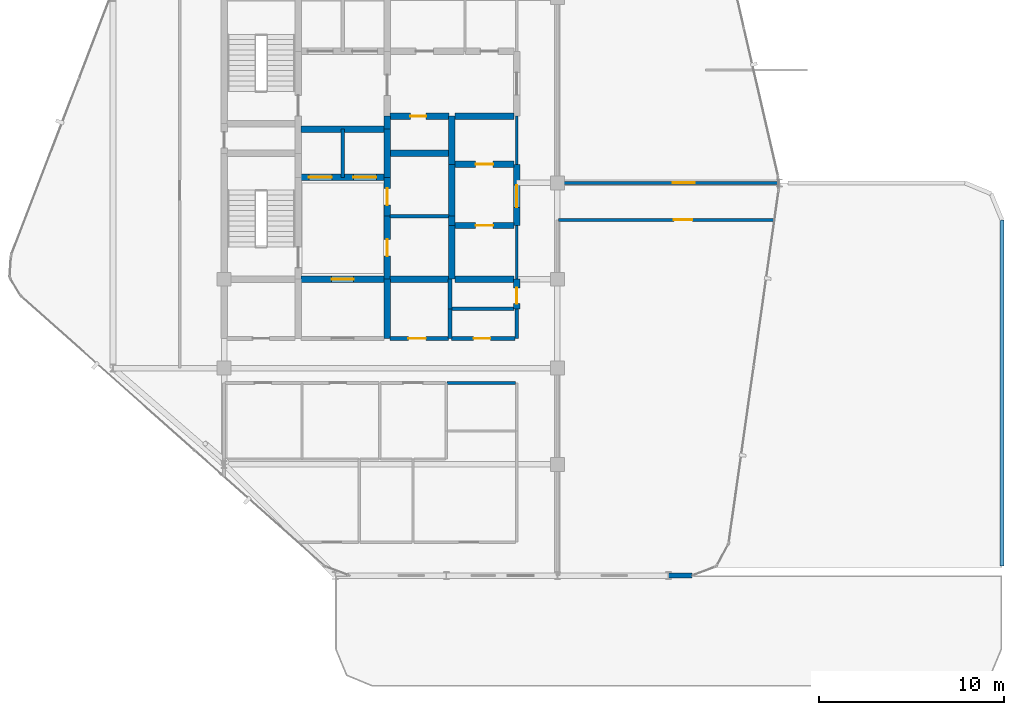
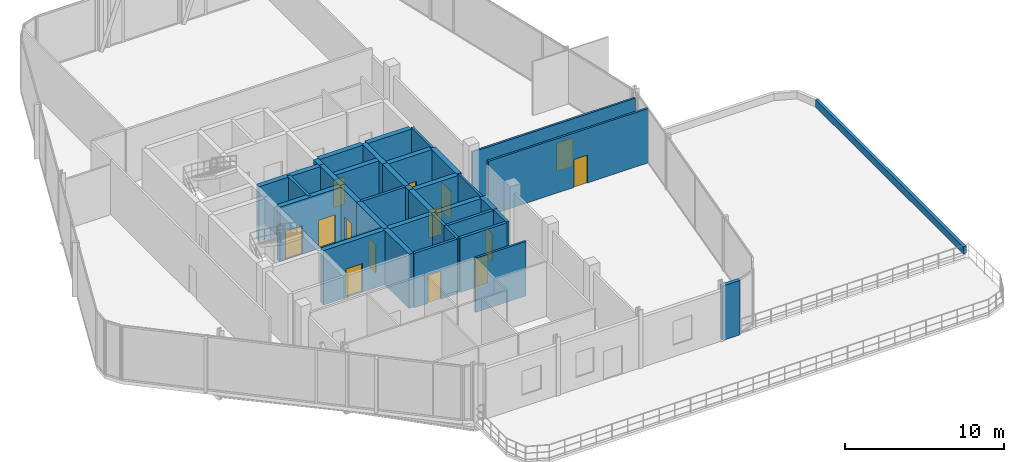
# One storey, part 21 of 24: 36 walls, 14 doors, 14 openings.
"""IFC4 building model written with IfcOpenShell, lengths in metres."""

import ifcopenshell
import ifcopenshell.guid

model = None  # the IFC model being written
_history = None  # IfcOwnerHistory: only IFC2X3 demands one
_inside = {}  # id of a spatial element -> (the spatial element, [elements in it])
_under = {}  # id of a project, library or spatial element -> (it, [spatial elements below it])
_declared = {}  # id of a project -> (the project, [libraries it declares])
_typed = {}  # id of a type object -> (the type object, [elements of that type])
_made_of = {}  # id of a material, layer set ... -> (it, [elements and type objects made of it])


def new_model(schema):
    """Start an empty IFC model of exactly this schema.

    Asked for "IFC4X3", IfcOpenShell would pick the latest addendum, in which some entities
    have other attributes; the version numbers below select the first issue.
    IFC2X3 requires an IfcOwnerHistory on every rooted entity: one is made here for all.
    """
    global model, _history
    if schema == "IFC4X3":
        model = ifcopenshell.file(schema_version=(4, 3, 0, 0))
    else:
        model = ifcopenshell.file(schema=schema)
    _inside.clear()
    _under.clear()
    _declared.clear()
    _typed.clear()
    _made_of.clear()
    _history = None
    if model.schema == "IFC2X3":
        org = make("IfcOrganization", Name="unknown")
        user = make(
            "IfcPersonAndOrganization",
            ThePerson=make("IfcPerson", FamilyName="unknown"),
            TheOrganization=org,
        )
        app = make(
            "IfcApplication",
            ApplicationDeveloper=org,
            Version="unknown",
            ApplicationFullName="unknown",
            ApplicationIdentifier="unknown",
        )
        _history = make(
            "IfcOwnerHistory",
            OwningUser=user,
            OwningApplication=app,
            ChangeAction="ADDED",
            CreationDate=0,
        )
    return model


def make(cls, **values):
    """One entity of the class cls with the attributes given. An attribute that is None is left unset."""
    return model.create_entity(
        cls, **{name: value for name, value in values.items() if value is not None}
    )


def rooted(cls, **values):
    """An entity with a GlobalId (a new one), such as an element, a storey or a relation."""
    return make(cls, GlobalId=ifcopenshell.guid.new(), OwnerHistory=_history, **values)


def si_unit(unit_type, name, prefix=None):
    """IfcSIUnit, for example si_unit("LENGTHUNIT", "METRE", prefix="MILLI")."""
    return make("IfcSIUnit", UnitType=unit_type, Prefix=prefix, Name=name)


def assignment(units):
    """IfcUnitAssignment: the units of a project."""
    return None if units is None else make("IfcUnitAssignment", Units=units)


def point(xyz):
    """IfcCartesianPoint."""
    return None if xyz is None else make("IfcCartesianPoint", Coordinates=xyz)


def direction(xyz):
    """IfcDirection."""
    return None if xyz is None else make("IfcDirection", DirectionRatios=xyz)


def frame(location, z_axis=None, x_axis=None):
    """IfcAxis2Placement3D, a coordinate frame: its origin and axes. An axis left out is left unset."""
    return make(
        "IfcAxis2Placement3D",
        Location=point(location),
        Axis=direction(z_axis),
        RefDirection=direction(x_axis),
    )


def frame_2d(location, x_axis=None):
    """IfcAxis2Placement2D, a coordinate frame in the plane: its origin and x axis."""
    return make(
        "IfcAxis2Placement2D", Location=point(location), RefDirection=direction(x_axis)
    )


def origin():
    """The frame at (0, 0, 0) with its axes left unset."""
    return frame((0.0, 0.0, 0.0))


def place(relative_to, where):
    """IfcLocalPlacement: puts the frame where relative to a parent placement (None: the world)."""
    return make(
        "IfcLocalPlacement", PlacementRelTo=relative_to, RelativePlacement=where
    )


def context(
    kind, dimensions, precision=None, world=None, true_north=None, identifier=None
):
    """IfcGeometricRepresentationContext, for example the 3D "Model" context."""
    return make(
        "IfcGeometricRepresentationContext",
        ContextIdentifier=identifier,
        ContextType=kind,
        CoordinateSpaceDimension=dimensions,
        Precision=precision,
        WorldCoordinateSystem=world,
        TrueNorth=true_north,
    )


def subcontext(parent, identifier, kind, view, scale=None):
    """IfcGeometricRepresentationSubContext, for example "Body" below "Model"."""
    return make(
        "IfcGeometricRepresentationSubContext",
        ContextIdentifier=identifier,
        ContextType=kind,
        ParentContext=parent,
        TargetScale=scale,
        TargetView=view,
    )


def project(units=None, contexts=None):
    """IfcProject with its units and contexts."""
    return rooted(
        "IfcProject",
        Name="project",
        RepresentationContexts=contexts,
        UnitsInContext=assignment(units),
    )


def spatial(cls, under=None, at=None, **own):
    """A site, building, storey or space (cls), placed at a placement, below another one or the project."""
    s = rooted(cls, ObjectPlacement=at, **own)
    if under is not None:
        _under.setdefault(under.id(), (under, []))[1].append(s)
    return s


def profile(cls, at=None, kind="AREA", **sizes):
    """A parametric profile (cls). Its sizes go by their IFC names, for example OverallWidth=200.0."""
    return make(cls, ProfileType=kind, Position=at, **sizes)


def rectangle(**sizes):
    """IfcRectangleProfileDef."""
    return profile("IfcRectangleProfileDef", **sizes)


def extrude(swept, where, along, depth):
    """IfcExtrudedAreaSolid: the profile swept, set in the frame where, extruded along a direction by depth."""
    return make(
        "IfcExtrudedAreaSolid",
        SweptArea=swept,
        Position=where,
        ExtrudedDirection=direction(along),
        Depth=depth,
    )


def shape(context_of_items, identifier, shape_type, items):
    """IfcShapeRepresentation: the items that make up one representation, for example the "Body"."""
    return make(
        "IfcShapeRepresentation",
        ContextOfItems=context_of_items,
        RepresentationIdentifier=identifier,
        RepresentationType=shape_type,
        Items=items,
    )


def material(Name=None, Category=None):
    """IfcMaterial."""
    return make("IfcMaterial", Name=Name, Category=Category)


def layer(
    of_material, thickness, ventilated=None, Name=None, Category=None, Priority=None
):
    """IfcMaterialLayer: one layer of a wall or slab, of a material (None: an air gap)."""
    return make(
        "IfcMaterialLayer",
        Material=of_material,
        LayerThickness=thickness,
        IsVentilated=ventilated,
        Name=Name,
        Category=Category,
        Priority=Priority,
    )


def layer_set(layers, Name=None):
    """IfcMaterialLayerSet."""
    return make("IfcMaterialLayerSet", MaterialLayers=layers, LayerSetName=Name)


def made_of(thing, what):
    """Note that an element or type object is made of a material, layer set ...; save() writes the relation."""
    if what is not None:
        _made_of.setdefault(what.id(), (what, []))[1].append(thing)
    return thing


def type_object(cls, material=None, **own):
    """A type object (cls), such as IfcWallType, which elements share."""
    return made_of(rooted(cls, **own), material)


def element(
    cls,
    number,
    at=None,
    inside=None,
    cuts=None,
    type_object=None,
    material=None,
    context=None,
    identifier="Body",
    shape_type=None,
    held_by="IfcProductDefinitionShape",
    body=None,
    shapes=None,
    **own,
):
    """One element of the class cls, such as IfcWall. Its Tag is "e" and its number.

    at: its placement. inside: the storey or other place that contains it. cuts: it is an
    opening in that element (IfcRelVoidsElement). A single representation is given by context,
    identifier, shape_type and body (its items); several are given by shapes. held_by: the class
    of the entity that holds the representations. save() writes the other relations.
    """
    e = rooted(cls, Tag="e%d" % number, ObjectPlacement=at, **own)
    if body is not None:
        shapes = [shape(context, identifier, shape_type, body)]
    if shapes is not None:
        e.Representation = make(held_by, Representations=shapes)
    if inside is not None:
        _inside.setdefault(inside.id(), (inside, []))[1].append(e)
    if cuts is not None:
        rooted(
            "IfcRelVoidsElement", RelatingBuildingElement=cuts, RelatedOpeningElement=e
        )
    if type_object is not None:
        _typed.setdefault(type_object.id(), (type_object, []))[1].append(e)
    return made_of(e, material)


def fill(opening, filler):
    """IfcRelFillsElement: the door or window that sits in an opening."""
    return rooted(
        "IfcRelFillsElement",
        RelatingOpeningElement=opening,
        RelatedBuildingElement=filler,
    )


def aggregate(whole, parts):
    """IfcRelAggregates: a whole, such as a stair, and the parts it consists of."""
    return rooted("IfcRelAggregates", RelatingObject=whole, RelatedObjects=parts)


def save(model, path):
    """Write the relations noted so far, then the file.

    IfcRelAggregates (storeys below a building ...), IfcRelContainedInSpatialStructure (elements
    in a storey), IfcRelDefinesByType, IfcRelAssociatesMaterial and IfcRelDeclares: one each for
    every whole, place, type object, material and project.
    """
    for whole, parts in _under.values():
        aggregate(whole, parts)
    for where, things in _inside.values():
        rooted(
            "IfcRelContainedInSpatialStructure",
            RelatedElements=things,
            RelatingStructure=where,
        )
    for kind, things in _typed.values():
        rooted("IfcRelDefinesByType", RelatedObjects=things, RelatingType=kind)
    for what, things in _made_of.values():
        rooted("IfcRelAssociatesMaterial", RelatedObjects=things, RelatingMaterial=what)
    for by, libraries in _declared.values():
        rooted("IfcRelDeclares", RelatingContext=by, RelatedDefinitions=libraries)
    model.write(path)


model = new_model("IFC4")

# Units and contexts
model_context = context("Model", 3, precision=1e-05, world=origin(), true_north=direction((0.0, 1.0)))
body_context = subcontext(model_context, "Body", "Model", "MODEL_VIEW")
ifc_project = project(units=[si_unit("LENGTHUNIT", "METRE"), si_unit("AREAUNIT", "SQUARE_METRE"), si_unit("VOLUMEUNIT", "CUBIC_METRE"), si_unit("PLANEANGLEUNIT", "RADIAN"), si_unit("MASSUNIT", "GRAM", prefix="KILO")], contexts=[model_context])

# Site, building, storey
site_placement = place(None, origin())
site = spatial("IfcSite", under=ifc_project, at=site_placement, CompositionType="ELEMENT")
building_placement = place(site_placement, origin())
building = spatial("IfcBuilding", under=site, at=building_placement, Name="Keshet Zoharim Tower", CompositionType="ELEMENT")
storey_placement = place(building_placement, frame((0.0, 0.0, 242.800048828125)))
storey = spatial("IfcBuildingStorey", under=building, at=storey_placement, Name="L60", CompositionType="ELEMENT", Elevation=242.800048828125)

# Walls
ifc_material_1 = material(Name="Gypsum Plasterboard", Category="gypsum")
ifc_layer_1 = layer(ifc_material_1, 0.14990234375)
ifc_layer_set_1 = layer_set([ifc_layer_1], Name="Gypsum Plasterboard")
wall_type_1 = type_object("IfcWallType", Name="WL-CLIN-150", PredefinedType="STANDARD", material=ifc_layer_set_1)
wall_1_placement = place(storey_placement, frame((30.800048828125, 22.699951171875, 0.0), z_axis=(0.0, 0.0, 1.0), x_axis=(0.0, 1.0, 0.0)))
element("IfcWall", 1, at=wall_1_placement, inside=storey, type_object=wall_type_1, Name="L60 Interior Wall 041", PredefinedType="STANDARD", context=body_context, shape_type="SweptSolid", body=[
    extrude(rectangle(XDim=2.900146484375, YDim=0.14990234375, at=frame_2d((1.4501953125, 0.0))), origin(), (0.0, 0.0, 1.0), 4.18994140625),
])
wall_2_placement = place(storey_placement, frame((30.800048828125, 28.89990234375, 0.0), z_axis=(0.0, 0.0, 1.0), x_axis=(0.0, 1.0, 0.0)))
element("IfcWall", 2, at=wall_2_placement, inside=storey, type_object=wall_type_1, Name="L60 Interior Wall 043", PredefinedType="STANDARD", context=body_context, shape_type="SweptSolid", body=[
    extrude(rectangle(XDim=2.60009765625, YDim=0.14990234375, at=frame_2d((1.300048828125, 0.0))), origin(), (0.0, 0.0, 1.0), 4.18994140625),
])
wall_3_placement = place(storey_placement, frame((27.044921875, 17.10009765625, 0.0), z_axis=(0.0, 0.0, 1.0), x_axis=(1.0, 0.0, 0.0)))
element("IfcWall", 3, at=wall_3_placement, inside=storey, type_object=wall_type_1, Name="L60 Interior Wall 059", PredefinedType="STANDARD", context=body_context, shape_type="SweptSolid", body=[
    extrude(rectangle(XDim=3.695068359375, YDim=0.14990234375, at=frame_2d((1.84765625, 0.0))), origin(), (0.0, 0.0, 1.0), 4.18994140625),
])

# Wall, opening, door
wall_4_placement = place(storey_placement, frame((33.06005859375, 25.89990234375, 0.0), z_axis=(0.0, 0.0, 1.0), x_axis=(1.0, 0.0, 0.0)))
wall_4 = element("IfcWall", 4, at=wall_4_placement, inside=storey, type_object=wall_type_1, Name="L60 Interior Wall 070", PredefinedType="STANDARD", context=body_context, shape_type="SweptSolid", body=[
    extrude(rectangle(XDim=11.64697265625, YDim=0.14990234375, at=frame_2d((5.823486328125, 0.0))), origin(), (0.0, 0.0, 1.0), 4.18994140625),
])
opening_1_placement = place(wall_4_placement, frame((6.218994140625, 0.0, 0.0)))
opening_1 = element("IfcOpeningElement", 5, at=opening_1_placement, cuts=wall_4, Name="Opening D-F310", PredefinedType="OPENING", context=body_context, shape_type="SweptSolid", body=[
    extrude(rectangle(XDim=1.0, YDim=2.14990234375, at=frame_2d((0.5, 1.074951171875))), frame((0.0, 0.0849609375, 0.0), z_axis=(0.0, -1.0, 0.0), x_axis=(1.0, 0.0, 0.0)), (0.0, 0.0, 1.0), 0.169921875),
])
ifc_material_2 = material(Name="Hardwood Timber", Category="wood")
door_type_1 = type_object("IfcDoorType", Name="DR-FD30-100", OperationType="NOTDEFINED", PredefinedType="DOOR", material=ifc_material_2)
door_1_placement = place(opening_1_placement, origin())
door_1 = element("IfcDoor", 6, at=door_1_placement, inside=storey, type_object=door_type_1, Name="L60 Residents Dining Lounge Door", OperationType="SINGLE_SWING_RIGHT", OverallHeight=2.14990234375, OverallWidth=1.0, PredefinedType="DOOR", context=body_context, shape_type="SweptSolid", body=[
    extrude(rectangle(XDim=1.0, YDim=2.14990234375, at=frame_2d((0.5, 1.074951171875))), frame((0.0, 0.02490234375, 0.0), z_axis=(0.0, -1.0, 0.0), x_axis=(1.0, 0.0, 0.0)), (0.0, 0.0, 1.0), 0.050048828125),
])
fill(opening_1, door_1)

wall_5_placement = place(storey_placement, frame((33.06005859375, 27.89990234375, 0.0), z_axis=(0.0, 0.0, 1.0), x_axis=(1.0, 0.0, 0.0)))
wall_5 = element("IfcWall", 7, at=wall_5_placement, inside=storey, type_object=wall_type_1, Name="L60 Interior Wall 072", PredefinedType="STANDARD", context=body_context, shape_type="SweptSolid", body=[
    extrude(rectangle(XDim=11.862060546875, YDim=0.14990234375, at=frame_2d((5.93115234375, 0.0))), origin(), (0.0, 0.0, 1.0), 3.68994140625),
])
opening_2_placement = place(wall_5_placement, frame((6.155029296875, 0.0, 0.0)))
opening_2 = element("IfcOpeningElement", 8, at=opening_2_placement, cuts=wall_5, Name="Opening D-F612", PredefinedType="OPENING", context=body_context, shape_type="SweptSolid", body=[
    extrude(rectangle(XDim=1.199951171875, YDim=2.199951171875, at=frame_2d((0.60009765625, 1.10009765625))), frame((0.0, 0.0849609375, 0.0), z_axis=(0.0, -1.0, 0.0), x_axis=(1.0, 0.0, 0.0)), (0.0, 0.0, 1.0), 0.169921875),
])
door_type_2 = type_object("IfcDoorType", Name="DR-FD60-120", OperationType="NOTDEFINED", PredefinedType="DOOR", material=ifc_material_2)
door_2_placement = place(opening_2_placement, origin())
door_2 = element("IfcDoor", 9, at=door_2_placement, inside=storey, type_object=door_type_2, Name="L60 Community Assembly Hall Door", OperationType="SINGLE_SWING_LEFT", OverallHeight=2.199951171875, OverallWidth=1.199951171875, PredefinedType="DOOR", context=body_context, shape_type="SweptSolid", body=[
    extrude(rectangle(XDim=1.199951171875, YDim=2.199951171875, at=frame_2d((0.60009765625, 1.10009765625))), frame((0.0, 0.02490234375, 0.0), z_axis=(0.0, -1.0, 0.0), x_axis=(1.0, 0.0, 0.0)), (0.0, 0.0, 1.0), 0.050048828125),
])
fill(opening_2, door_2)

# Wall
ifc_material_3 = material(Name="Concrete C60/75", Category="concrete")
ifc_layer_2 = layer(ifc_material_3, 0.35009765625)
ifc_layer_set_2 = layer_set([ifc_layer_2], Name="Concrete C60/75")
wall_type_2 = type_object("IfcWallType", Name="WL-CORE-350", PredefinedType="SHEAR", material=ifc_layer_set_2)
wall_6_placement = place(storey_placement, frame((23.800048828125, 19.5, 0.0), z_axis=(0.0, 0.0, 1.0), x_axis=(0.0, 1.0, 0.0)))
element("IfcWall", 10, at=wall_6_placement, inside=storey, type_object=wall_type_2, Name="L60 Core Shear Wall 020", PredefinedType="SHEAR", context=body_context, shape_type="SweptSolid", body=[
    extrude(rectangle(XDim=3.199951171875, YDim=0.35009765625, at=frame_2d((1.60009765625, 0.0))), origin(), (0.0, 0.0, 1.0), 4.18994140625),
])

# Wall, opening, door
wall_7_placement = place(storey_placement, frame((23.800048828125, 22.699951171875, 0.0), z_axis=(0.0, 0.0, 1.0), x_axis=(0.0, 1.0, 0.0)))
wall_7 = element("IfcWall", 11, at=wall_7_placement, inside=storey, type_object=wall_type_2, Name="L60 Core Shear Wall 021", PredefinedType="SHEAR", context=body_context, shape_type="SweptSolid", body=[
    extrude(rectangle(XDim=3.400146484375, YDim=0.35009765625, at=frame_2d((1.7001953125, 0.0))), origin(), (0.0, 0.0, 1.0), 4.18994140625),
])
opening_3_placement = place(wall_7_placement, frame((1.25, 0.0, 0.0)))
opening_3 = element("IfcOpeningElement", 12, at=opening_3_placement, cuts=wall_7, Name="Opening D-F690", PredefinedType="OPENING", context=body_context, shape_type="SweptSolid", body=[
    extrude(rectangle(XDim=0.89990234375, YDim=2.14990234375, at=frame_2d((0.449951171875, 1.074951171875))), frame((0.0, 0.18505859375, 0.0), z_axis=(0.0, -1.0, 0.0), x_axis=(1.0, 0.0, 0.0)), (0.0, 0.0, 1.0), 0.3701171875),
])
door_type_3 = type_object("IfcDoorType", Name="DR-FD60-090", OperationType="NOTDEFINED", PredefinedType="DOOR", material=ifc_material_2)
door_3_placement = place(opening_3_placement, origin())
door_3 = element("IfcDoor", 13, at=door_3_placement, inside=storey, type_object=door_type_3, Name="L60 Core Linen Store Door", OperationType="SINGLE_SWING_LEFT", OverallHeight=2.14990234375, OverallWidth=0.89990234375, PredefinedType="DOOR", context=body_context, shape_type="SweptSolid", body=[
    extrude(rectangle(XDim=0.89990234375, YDim=2.14990234375, at=frame_2d((0.449951171875, 1.074951171875))), frame((0.0, 0.02490234375, 0.0), z_axis=(0.0, -1.0, 0.0), x_axis=(1.0, 0.0, 0.0)), (0.0, 0.0, 1.0), 0.050048828125),
])
fill(opening_3, door_3)

wall_8_placement = place(storey_placement, frame((23.800048828125, 26.10009765625, 0.0), z_axis=(0.0, 0.0, 1.0), x_axis=(0.0, 1.0, 0.0)))
wall_8 = element("IfcWall", 14, at=wall_8_placement, inside=storey, type_object=wall_type_2, Name="L60 Core Shear Wall 022", PredefinedType="SHEAR", context=body_context, shape_type="SweptSolid", body=[
    extrude(rectangle(XDim=2.099853515625, YDim=0.35009765625, at=frame_2d((1.0498046875, 0.0))), origin(), (0.0, 0.0, 1.0), 4.18994140625),
])
opening_4_placement = place(wall_8_placement, frame((0.60009765625, 0.0, 0.0)))
opening_4 = element("IfcOpeningElement", 15, at=opening_4_placement, cuts=wall_8, Name="Opening D-F690", PredefinedType="OPENING", context=body_context, shape_type="SweptSolid", body=[
    extrude(rectangle(XDim=0.89990234375, YDim=2.14990234375, at=frame_2d((0.449951171875, 1.074951171875))), frame((0.0, 0.18505859375, 0.0), z_axis=(0.0, -1.0, 0.0), x_axis=(1.0, 0.0, 0.0)), (0.0, 0.0, 1.0), 0.3701171875),
])
door_4_placement = place(opening_4_placement, origin())
door_4 = element("IfcDoor", 16, at=door_4_placement, inside=storey, type_object=door_type_3, Name="L60 Core Electrical Room Door", OperationType="SINGLE_SWING_RIGHT", OverallHeight=2.14990234375, OverallWidth=0.89990234375, PredefinedType="DOOR", context=body_context, shape_type="SweptSolid", body=[
    extrude(rectangle(XDim=0.89990234375, YDim=2.14990234375, at=frame_2d((0.449951171875, 1.074951171875))), frame((0.0, 0.02490234375, 0.0), z_axis=(0.0, -1.0, 0.0), x_axis=(1.0, 0.0, 0.0)), (0.0, 0.0, 1.0), 0.050048828125),
])
fill(opening_4, door_4)

# Walls
wall_9_placement = place(storey_placement, frame((23.800048828125, 28.199951171875, 0.0), z_axis=(0.0, 0.0, 1.0), x_axis=(0.0, 1.0, 0.0)))
element("IfcWall", 17, at=wall_9_placement, inside=storey, type_object=wall_type_2, Name="L60 Core Shear Wall 023", PredefinedType="SHEAR", context=body_context, shape_type="SweptSolid", body=[
    extrude(rectangle(XDim=2.60009765625, YDim=0.35009765625, at=frame_2d((1.300048828125, 0.0))), origin(), (0.0, 0.0, 1.0), 4.18994140625),
])
wall_10_placement = place(storey_placement, frame((23.800048828125, 30.800048828125, 0.0), z_axis=(0.0, 0.0, 1.0), x_axis=(0.0, 1.0, 0.0)))
element("IfcWall", 18, at=wall_10_placement, inside=storey, type_object=wall_type_2, Name="L60 Core Shear Wall 024", PredefinedType="SHEAR", context=body_context, shape_type="SweptSolid", body=[
    extrude(rectangle(XDim=0.699951171875, YDim=0.35009765625, at=frame_2d((0.35009765625, 0.0))), origin(), (0.0, 0.0, 1.0), 4.18994140625),
])
wall_11_placement = place(storey_placement, frame((27.300048828125, 22.699951171875, 0.0), z_axis=(0.0, 0.0, 1.0), x_axis=(0.0, 1.0, 0.0)))
element("IfcWall", 19, at=wall_11_placement, inside=storey, type_object=wall_type_2, Name="L60 Core Shear Wall 032", PredefinedType="SHEAR", context=body_context, shape_type="SweptSolid", body=[
    extrude(rectangle(XDim=2.900146484375, YDim=0.35009765625, at=frame_2d((1.4501953125, 0.0))), origin(), (0.0, 0.0, 1.0), 4.18994140625),
])
wall_12_placement = place(storey_placement, frame((27.300048828125, 25.60009765625, 0.0), z_axis=(0.0, 0.0, 1.0), x_axis=(0.0, 1.0, 0.0)))
element("IfcWall", 20, at=wall_12_placement, inside=storey, type_object=wall_type_2, Name="L60 Core Shear Wall 033", PredefinedType="SHEAR", context=body_context, shape_type="SweptSolid", body=[
    extrude(rectangle(XDim=0.5, YDim=0.35009765625, at=frame_2d((0.25, 0.0))), origin(), (0.0, 0.0, 1.0), 4.18994140625),
])
wall_13_placement = place(storey_placement, frame((27.300048828125, 26.10009765625, 0.0), z_axis=(0.0, 0.0, 1.0), x_axis=(0.0, 1.0, 0.0)))
element("IfcWall", 21, at=wall_13_placement, inside=storey, type_object=wall_type_2, Name="L60 Core Shear Wall 034", PredefinedType="SHEAR", context=body_context, shape_type="SweptSolid", body=[
    extrude(rectangle(XDim=2.7998046875, YDim=0.35009765625, at=frame_2d((1.39990234375, 0.0))), origin(), (0.0, 0.0, 1.0), 4.18994140625),
])
wall_14_placement = place(storey_placement, frame((27.300048828125, 28.89990234375, 0.0), z_axis=(0.0, 0.0, 1.0), x_axis=(0.0, 1.0, 0.0)))
element("IfcWall", 22, at=wall_14_placement, inside=storey, type_object=wall_type_2, Name="L60 Core Shear Wall 035", PredefinedType="SHEAR", context=body_context, shape_type="SweptSolid", body=[
    extrude(rectangle(XDim=2.60009765625, YDim=0.35009765625, at=frame_2d((1.300048828125, 0.0))), origin(), (0.0, 0.0, 1.0), 4.18994140625),
])

# Wall, opening, door
wall_15_placement = place(storey_placement, frame((30.800048828125, 21.10009765625, 0.0), z_axis=(0.0, 0.0, 1.0), x_axis=(0.0, 1.0, 0.0)))
wall_15 = element("IfcWall", 23, at=wall_15_placement, inside=storey, type_object=wall_type_2, Name="L60 Core Shear Wall 040", PredefinedType="SHEAR", context=body_context, shape_type="SweptSolid", body=[
    extrude(rectangle(XDim=1.599853515625, YDim=0.35009765625, at=frame_2d((0.7998046875, 0.0))), origin(), (0.0, 0.0, 1.0), 4.18994140625),
])
opening_5_placement = place(wall_15_placement, frame((0.287109375, 0.0, 0.0)))
opening_5 = element("IfcOpeningElement", 24, at=opening_5_placement, cuts=wall_15, Name="Opening D-RS85", PredefinedType="OPENING", context=body_context, shape_type="SweptSolid", body=[
    extrude(rectangle(XDim=0.85009765625, YDim=2.10009765625, at=frame_2d((0.425048828125, 1.050048828125))), frame((0.0, 0.18505859375, 0.0), z_axis=(0.0, -1.0, 0.0), x_axis=(1.0, 0.0, 0.0)), (0.0, 0.0, 1.0), 0.3701171875),
])
door_type_4 = type_object("IfcDoorType", Name="DR-RIS-085", OperationType="NOTDEFINED", PredefinedType="DOOR", material=ifc_material_2)
door_5_placement = place(opening_5_placement, origin())
door_5 = element("IfcDoor", 25, at=door_5_placement, inside=storey, type_object=door_type_4, Name="L60 Linen Store Door", OperationType="SINGLE_SWING_RIGHT", OverallHeight=2.10009765625, OverallWidth=0.85009765625, PredefinedType="DOOR", context=body_context, shape_type="SweptSolid", body=[
    extrude(rectangle(XDim=0.85009765625, YDim=2.10009765625, at=frame_2d((0.425048828125, 1.050048828125))), frame((0.0, 0.02490234375, 0.0), z_axis=(0.0, -1.0, 0.0), x_axis=(1.0, 0.0, 0.0)), (0.0, 0.0, 1.0), 0.050048828125),
])
fill(opening_5, door_5)

wall_16_placement = place(storey_placement, frame((30.800048828125, 25.60009765625, 0.0), z_axis=(0.0, 0.0, 1.0), x_axis=(0.0, 1.0, 0.0)))
wall_16 = element("IfcWall", 26, at=wall_16_placement, inside=storey, type_object=wall_type_2, Name="L60 Core Shear Wall 042", PredefinedType="SHEAR", context=body_context, shape_type="SweptSolid", body=[
    extrude(rectangle(XDim=3.2998046875, YDim=0.35009765625, at=frame_2d((1.64990234375, 0.0))), origin(), (0.0, 0.0, 1.0), 4.18994140625),
])
opening_6_placement = place(wall_16_placement, frame((0.97802734375, 0.0, 0.0)))
opening_6 = element("IfcOpeningElement", 27, at=opening_6_placement, cuts=wall_16, Name="Opening D-F612", PredefinedType="OPENING", context=body_context, shape_type="SweptSolid", body=[
    extrude(rectangle(XDim=1.199951171875, YDim=2.199951171875, at=frame_2d((0.60009765625, 1.10009765625))), frame((0.0, 0.18505859375, 0.0), z_axis=(0.0, -1.0, 0.0), x_axis=(1.0, 0.0, 0.0)), (0.0, 0.0, 1.0), 0.3701171875),
])
door_6_placement = place(opening_6_placement, origin())
door_6 = element("IfcDoor", 28, at=door_6_placement, inside=storey, type_object=door_type_2, Name="L60 East Lift Lobby Fire Door", OperationType="SINGLE_SWING_LEFT", OverallHeight=2.199951171875, OverallWidth=1.199951171875, PredefinedType="DOOR", context=body_context, shape_type="SweptSolid", body=[
    extrude(rectangle(XDim=1.199951171875, YDim=2.199951171875, at=frame_2d((0.60009765625, 1.10009765625))), frame((0.0, 0.02490234375, 0.0), z_axis=(0.0, -1.0, 0.0), x_axis=(1.0, 0.0, 0.0)), (0.0, 0.0, 1.0), 0.050048828125),
])
fill(opening_6, door_6)

wall_17_placement = place(storey_placement, frame((19.159912109375, 22.699951171875, 0.0), z_axis=(0.0, 0.0, 1.0), x_axis=(1.0, 0.0, 0.0)))
wall_17 = element("IfcWall", 29, at=wall_17_placement, inside=storey, type_object=wall_type_2, Name="L60 Core Shear Wall 066", PredefinedType="SHEAR", context=body_context, shape_type="SweptSolid", body=[
    extrude(rectangle(XDim=4.47998046875, YDim=0.35009765625, at=frame_2d((2.239990234375, 0.0))), origin(), (0.0, 0.0, 1.0), 4.18994140625),
])
opening_7_placement = place(wall_17_placement, frame((1.639892578125, 0.0, 0.0)))
opening_7 = element("IfcOpeningElement", 30, at=opening_7_placement, cuts=wall_17, Name="Opening D-F612", PredefinedType="OPENING", context=body_context, shape_type="SweptSolid", body=[
    extrude(rectangle(XDim=1.199951171875, YDim=2.199951171875, at=frame_2d((0.60009765625, 1.10009765625))), frame((0.0, 0.18505859375, 0.0), z_axis=(0.0, -1.0, 0.0), x_axis=(1.0, 0.0, 0.0)), (0.0, 0.0, 1.0), 0.3701171875),
])
door_7_placement = place(opening_7_placement, origin())
door_7 = element("IfcDoor", 31, at=door_7_placement, inside=storey, type_object=door_type_2, Name="L60 South Core Lobby Fire Door", OperationType="SINGLE_SWING_RIGHT", OverallHeight=2.199951171875, OverallWidth=1.199951171875, PredefinedType="DOOR", context=body_context, shape_type="SweptSolid", body=[
    extrude(rectangle(XDim=1.199951171875, YDim=2.199951171875, at=frame_2d((0.60009765625, 1.10009765625))), frame((0.0, 0.02490234375, 0.0), z_axis=(0.0, -1.0, 0.0), x_axis=(1.0, 0.0, 0.0)), (0.0, 0.0, 1.0), 0.050048828125),
])
fill(opening_7, door_7)

# Walls
wall_18_placement = place(storey_placement, frame((23.9599609375, 22.699951171875, 0.0), z_axis=(0.0, 0.0, 1.0), x_axis=(1.0, 0.0, 0.0)))
element("IfcWall", 32, at=wall_18_placement, inside=storey, type_object=wall_type_2, Name="L60 Core Shear Wall 067", PredefinedType="SHEAR", context=body_context, shape_type="SweptSolid", body=[
    extrude(rectangle(XDim=3.155029296875, YDim=0.35009765625, at=frame_2d((1.57763671875, 0.0))), origin(), (0.0, 0.0, 1.0), 4.18994140625),
])
wall_19_placement = place(storey_placement, frame((27.4599609375, 22.699951171875, 0.0), z_axis=(0.0, 0.0, 1.0), x_axis=(1.0, 0.0, 0.0)))
element("IfcWall", 33, at=wall_19_placement, inside=storey, type_object=wall_type_2, Name="L60 Core Shear Wall 068", PredefinedType="SHEAR", context=body_context, shape_type="SweptSolid", body=[
    extrude(rectangle(XDim=3.179931640625, YDim=0.35009765625, at=frame_2d((1.58984375, 0.0))), origin(), (0.0, 0.0, 1.0), 4.18994140625),
])

# Wall, opening, door
wall_20_placement = place(storey_placement, frame((27.4599609375, 25.60009765625, 0.0), z_axis=(0.0, 0.0, 1.0), x_axis=(1.0, 0.0, 0.0)))
wall_20 = element("IfcWall", 34, at=wall_20_placement, inside=storey, type_object=wall_type_2, Name="L60 Core Shear Wall 069", PredefinedType="SHEAR", context=body_context, shape_type="SweptSolid", body=[
    extrude(rectangle(XDim=3.179931640625, YDim=0.35009765625, at=frame_2d((1.58984375, 0.0))), origin(), (0.0, 0.0, 1.0), 4.18994140625),
])
opening_8_placement = place(wall_20_placement, frame((1.114990234375, 0.0, 0.0)))
opening_8 = element("IfcOpeningElement", 35, at=opening_8_placement, cuts=wall_20, Name="Opening D-F695", PredefinedType="OPENING", context=body_context, shape_type="SweptSolid", body=[
    extrude(rectangle(XDim=0.949951171875, YDim=2.14990234375, at=frame_2d((0.47509765625, 1.074951171875))), frame((0.0, 0.18505859375, 0.0), z_axis=(0.0, -1.0, 0.0), x_axis=(1.0, 0.0, 0.0)), (0.0, 0.0, 1.0), 0.3701171875),
])
door_type_5 = type_object("IfcDoorType", Name="DR-FD60-095", OperationType="NOTDEFINED", PredefinedType="DOOR", material=ifc_material_2)
door_8_placement = place(opening_8_placement, origin())
door_8 = element("IfcDoor", 36, at=door_8_placement, inside=storey, type_object=door_type_5, Name="L60 Study Alcove Door", OperationType="SINGLE_SWING_LEFT", OverallHeight=2.14990234375, OverallWidth=0.949951171875, PredefinedType="DOOR", context=body_context, shape_type="SweptSolid", body=[
    extrude(rectangle(XDim=0.949951171875, YDim=2.14990234375, at=frame_2d((0.47509765625, 1.074951171875))), frame((0.0, 0.02490234375, 0.0), z_axis=(0.0, -1.0, 0.0), x_axis=(1.0, 0.0, 0.0)), (0.0, 0.0, 1.0), 0.050048828125),
])
fill(opening_8, door_8)

# Wall, openings, doors
wall_21_placement = place(storey_placement, frame((19.159912109375, 28.199951171875, 0.0), z_axis=(0.0, 0.0, 1.0), x_axis=(1.0, 0.0, 0.0)))
wall_21 = element("IfcWall", 37, at=wall_21_placement, inside=storey, type_object=wall_type_2, Name="L60 Core Shear Wall 073", PredefinedType="SHEAR", context=body_context, shape_type="SweptSolid", body=[
    extrude(rectangle(XDim=4.47998046875, YDim=0.35009765625, at=frame_2d((2.239990234375, 0.0))), origin(), (0.0, 0.0, 1.0), 4.18994140625),
])
opening_9_placement = place(wall_21_placement, frame((0.4150390625, 0.0, 0.0)))
opening_9 = element("IfcOpeningElement", 38, at=opening_9_placement, cuts=wall_21, Name="Opening LD-01", PredefinedType="OPENING", context=body_context, shape_type="SweptSolid", body=[
    extrude(rectangle(XDim=1.25, YDim=2.199951171875, at=frame_2d((0.625, 1.10009765625))), frame((0.0, 0.18505859375, 0.0), z_axis=(0.0, -1.0, 0.0), x_axis=(1.0, 0.0, 0.0)), (0.0, 0.0, 1.0), 0.3701171875),
])
opening_10_placement = place(wall_21_placement, frame((2.81494140625, 0.0, 0.0)))
opening_10 = element("IfcOpeningElement", 39, at=opening_10_placement, cuts=wall_21, Name="Opening LD-01", PredefinedType="OPENING", context=body_context, shape_type="SweptSolid", body=[
    extrude(rectangle(XDim=1.25, YDim=2.199951171875, at=frame_2d((0.625, 1.10009765625))), frame((0.0, 0.18505859375, 0.0), z_axis=(0.0, -1.0, 0.0), x_axis=(1.0, 0.0, 0.0)), (0.0, 0.0, 1.0), 0.3701171875),
])
ifc_material_4 = material(Name="Steel S355", Category="steel")
door_type_6 = type_object("IfcDoorType", Name="DR-LD01-125", OperationType="DOUBLE_DOOR_SLIDING", PredefinedType="DOOR", material=ifc_material_4)
door_9_placement = place(opening_9_placement, origin())
door_9 = element("IfcDoor", 40, at=door_9_placement, inside=storey, type_object=door_type_6, Name="L60 Passenger Lift Landing Door LF-09", OperationType="DOUBLE_DOOR_SLIDING", OverallHeight=2.199951171875, OverallWidth=1.25, PredefinedType="DOOR", context=body_context, shape_type="SweptSolid", body=[
    extrude(rectangle(XDim=1.25, YDim=2.199951171875, at=frame_2d((0.625, 1.10009765625))), frame((0.0, 0.02490234375, 0.0), z_axis=(0.0, -1.0, 0.0), x_axis=(1.0, 0.0, 0.0)), (0.0, 0.0, 1.0), 0.050048828125),
])
fill(opening_9, door_9)
door_10_placement = place(opening_10_placement, origin())
door_10 = element("IfcDoor", 41, at=door_10_placement, inside=storey, type_object=door_type_6, Name="L60 Passenger Lift Landing Door LF-10", OperationType="DOUBLE_DOOR_SLIDING", OverallHeight=2.199951171875, OverallWidth=1.25, PredefinedType="DOOR", context=body_context, shape_type="SweptSolid", body=[
    extrude(rectangle(XDim=1.25, YDim=2.199951171875, at=frame_2d((0.625, 1.10009765625))), frame((0.0, 0.02490234375, 0.0), z_axis=(0.0, -1.0, 0.0), x_axis=(1.0, 0.0, 0.0)), (0.0, 0.0, 1.0), 0.050048828125),
])
fill(opening_10, door_10)

# Wall, opening, door
wall_22_placement = place(storey_placement, frame((27.4599609375, 28.89990234375, 0.0), z_axis=(0.0, 0.0, 1.0), x_axis=(1.0, 0.0, 0.0)))
wall_22 = element("IfcWall", 42, at=wall_22_placement, inside=storey, type_object=wall_type_2, Name="L60 Core Shear Wall 074", PredefinedType="SHEAR", context=body_context, shape_type="SweptSolid", body=[
    extrude(rectangle(XDim=3.179931640625, YDim=0.35009765625, at=frame_2d((1.58984375, 0.0))), origin(), (0.0, 0.0, 1.0), 4.18994140625),
])
opening_11_placement = place(wall_22_placement, frame((1.114990234375, 0.0, 0.0)))
opening_11 = element("IfcOpeningElement", 43, at=opening_11_placement, cuts=wall_22, Name="Opening D-F695", PredefinedType="OPENING", context=body_context, shape_type="SweptSolid", body=[
    extrude(rectangle(XDim=0.949951171875, YDim=2.14990234375, at=frame_2d((0.47509765625, 1.074951171875))), frame((0.0, 0.18505859375, 0.0), z_axis=(0.0, -1.0, 0.0), x_axis=(1.0, 0.0, 0.0)), (0.0, 0.0, 1.0), 0.3701171875),
])
door_11_placement = place(opening_11_placement, frame((0.949951171875, 0.0, 0.0), z_axis=(0.0, 0.0, 1.0), x_axis=(-1.0, 0.0, 0.0)))
door_11 = element("IfcDoor", 44, at=door_11_placement, inside=storey, type_object=door_type_5, Name="L60 Parcel Store Door", OperationType="SINGLE_SWING_RIGHT", OverallHeight=2.14990234375, OverallWidth=0.949951171875, PredefinedType="DOOR", context=body_context, shape_type="SweptSolid", body=[
    extrude(rectangle(XDim=0.949951171875, YDim=2.14990234375, at=frame_2d((0.47509765625, 1.074951171875))), frame((0.0, 0.02490234375, 0.0), z_axis=(0.0, -1.0, 0.0), x_axis=(1.0, 0.0, 0.0)), (0.0, 0.0, 1.0), 0.050048828125),
])
fill(opening_11, door_11)

# Walls
wall_23_placement = place(storey_placement, frame((23.9599609375, 29.5, 0.0), z_axis=(0.0, 0.0, 1.0), x_axis=(1.0, 0.0, 0.0)))
element("IfcWall", 45, at=wall_23_placement, inside=storey, type_object=wall_type_2, Name="L60 Core Shear Wall 076", PredefinedType="SHEAR", context=body_context, shape_type="SweptSolid", body=[
    extrude(rectangle(XDim=3.179931640625, YDim=0.35009765625, at=frame_2d((1.58984375, 0.0))), origin(), (0.0, 0.0, 1.0), 4.18994140625),
])
wall_24_placement = place(storey_placement, frame((19.159912109375, 30.800048828125, 0.0), z_axis=(0.0, 0.0, 1.0), x_axis=(1.0, 0.0, 0.0)))
element("IfcWall", 46, at=wall_24_placement, inside=storey, type_object=wall_type_2, Name="L60 Core Shear Wall 077", PredefinedType="SHEAR", context=body_context, shape_type="SweptSolid", body=[
    extrude(rectangle(XDim=4.47998046875, YDim=0.35009765625, at=frame_2d((2.239990234375, 0.0))), origin(), (0.0, 0.0, 1.0), 4.18994140625),
])

# Wall, opening, door
wall_25_placement = place(storey_placement, frame((23.9599609375, 31.5, 0.0), z_axis=(0.0, 0.0, 1.0), x_axis=(1.0, 0.0, 0.0)))
wall_25 = element("IfcWall", 47, at=wall_25_placement, inside=storey, type_object=wall_type_2, Name="L60 Core Shear Wall 079", PredefinedType="SHEAR", context=body_context, shape_type="SweptSolid", body=[
    extrude(rectangle(XDim=3.179931640625, YDim=0.35009765625, at=frame_2d((1.58984375, 0.0))), origin(), (0.0, 0.0, 1.0), 4.18994140625),
])
opening_12_placement = place(wall_25_placement, frame((1.093994140625, 0.0, 0.0)))
opening_12 = element("IfcOpeningElement", 48, at=opening_12_placement, cuts=wall_25, Name="Opening D-RS85", PredefinedType="OPENING", context=body_context, shape_type="SweptSolid", body=[
    extrude(rectangle(XDim=0.85009765625, YDim=2.10009765625, at=frame_2d((0.425048828125, 1.050048828125))), frame((0.0, 0.18505859375, 0.0), z_axis=(0.0, -1.0, 0.0), x_axis=(1.0, 0.0, 0.0)), (0.0, 0.0, 1.0), 0.3701171875),
])
door_12_placement = place(opening_12_placement, origin())
door_12 = element("IfcDoor", 49, at=door_12_placement, inside=storey, type_object=door_type_4, Name="L60 Telecom Riser Access Cupboard Door", OperationType="SINGLE_SWING_LEFT", OverallHeight=2.10009765625, OverallWidth=0.85009765625, PredefinedType="DOOR", context=body_context, shape_type="SweptSolid", body=[
    extrude(rectangle(XDim=0.85009765625, YDim=2.10009765625, at=frame_2d((0.425048828125, 1.050048828125))), frame((0.0, 0.02490234375, 0.0), z_axis=(0.0, -1.0, 0.0), x_axis=(1.0, 0.0, 0.0)), (0.0, 0.0, 1.0), 0.050048828125),
])
fill(opening_12, door_12)

# Walls
wall_26_placement = place(storey_placement, frame((27.4599609375, 31.5, 0.0), z_axis=(0.0, 0.0, 1.0), x_axis=(1.0, 0.0, 0.0)))
element("IfcWall", 50, at=wall_26_placement, inside=storey, type_object=wall_type_2, Name="L60 Core Shear Wall 080", PredefinedType="SHEAR", context=body_context, shape_type="SweptSolid", body=[
    extrude(rectangle(XDim=3.179931640625, YDim=0.35009765625, at=frame_2d((1.58984375, 0.0))), origin(), (0.0, 0.0, 1.0), 4.18994140625),
])
ifc_material_5 = material(Name="Concrete C50/60 precast", Category="concrete")
ifc_layer_3 = layer(ifc_material_5, 0.260009765625)
ifc_layer_set_3 = layer_set([ifc_layer_3], Name="Concrete C50/60 precast")
wall_type_3 = type_object("IfcWallType", Name="WL-EXT-260", PredefinedType="STANDARD", material=ifc_layer_set_3)
wall_27_placement = place(storey_placement, frame((40.262939453125, 6.699951171875, 0.0), z_axis=(0.0, 0.0, 1.0), x_axis=(-1.0, 0.0, 0.0)))
element("IfcWall", 51, at=wall_27_placement, inside=storey, type_object=wall_type_3, Name="L60 Exterior Facade Wall 01", PredefinedType="STANDARD", context=body_context, shape_type="SweptSolid", body=[
    extrude(rectangle(XDim=1.262939453125, YDim=0.260009765625, at=frame_2d((0.63134765625, 0.0))), origin(), (0.0, 0.0, 1.0), 4.18994140625),
])
ifc_material_6 = material(Name="Concrete C50/60", Category="concrete")
ifc_layer_4 = layer(ifc_material_6, 0.199951171875)
ifc_layer_set_4 = layer_set([ifc_layer_4], Name="Concrete C50/60")
wall_type_4 = type_object("IfcWallType", Name="WL-FIRE-200", PredefinedType="STANDARD", material=ifc_layer_set_4)
wall_28_placement = place(storey_placement, frame((21.39990234375, 28.199951171875, 0.0), z_axis=(0.0, 0.0, 1.0), x_axis=(0.0, 1.0, 0.0)))
element("IfcWall", 52, at=wall_28_placement, inside=storey, type_object=wall_type_4, Name="L60 Interior Wall 016", PredefinedType="STANDARD", context=body_context, shape_type="SweptSolid", body=[
    extrude(rectangle(XDim=2.60009765625, YDim=0.199951171875, at=frame_2d((1.300048828125, 0.0))), origin(), (0.0, 0.0, 1.0), 4.18994140625),
])
wall_29_placement = place(storey_placement, frame((27.199951171875, 19.5, 0.0), z_axis=(0.0, 0.0, 1.0), x_axis=(0.0, 1.0, 0.0)))
element("IfcWall", 53, at=wall_29_placement, inside=storey, type_object=wall_type_4, Name="L60 Interior Wall 030", PredefinedType="STANDARD", context=body_context, shape_type="SweptSolid", body=[
    extrude(rectangle(XDim=1.60009765625, YDim=0.199951171875, at=frame_2d((0.800048828125, 0.0))), origin(), (0.0, 0.0, 1.0), 4.18994140625),
])
wall_30_placement = place(storey_placement, frame((27.199951171875, 21.10009765625, 0.0), z_axis=(0.0, 0.0, 1.0), x_axis=(0.0, 1.0, 0.0)))
element("IfcWall", 54, at=wall_30_placement, inside=storey, type_object=wall_type_4, Name="L60 Interior Wall 031", PredefinedType="STANDARD", context=body_context, shape_type="SweptSolid", body=[
    extrude(rectangle(XDim=1.599853515625, YDim=0.199951171875, at=frame_2d((0.7998046875, 0.0))), origin(), (0.0, 0.0, 1.0), 4.18994140625),
])
wall_31_placement = place(storey_placement, frame((30.800048828125, 19.5, 0.0), z_axis=(0.0, 0.0, 1.0), x_axis=(0.0, 1.0, 0.0)))
element("IfcWall", 55, at=wall_31_placement, inside=storey, type_object=wall_type_4, Name="L60 Interior Wall 039", PredefinedType="STANDARD", context=body_context, shape_type="SweptSolid", body=[
    extrude(rectangle(XDim=1.60009765625, YDim=0.199951171875, at=frame_2d((0.800048828125, 0.0))), origin(), (0.0, 0.0, 1.0), 4.18994140625),
])

# Wall, opening, door
wall_32_placement = place(storey_placement, frame((23.9599609375, 19.5, 0.0), z_axis=(0.0, 0.0, 1.0), x_axis=(1.0, 0.0, 0.0)))
wall_32 = element("IfcWall", 56, at=wall_32_placement, inside=storey, type_object=wall_type_4, Name="L60 Interior Wall 062", PredefinedType="STANDARD", context=body_context, shape_type="SweptSolid", body=[
    extrude(rectangle(XDim=3.155029296875, YDim=0.199951171875, at=frame_2d((1.57763671875, 0.0))), origin(), (0.0, 0.0, 1.0), 4.18994140625),
])
opening_13_placement = place(wall_32_placement, frame((0.990966796875, 0.0, 0.0)))
opening_13 = element("IfcOpeningElement", 57, at=opening_13_placement, cuts=wall_32, Name="Opening D-F695", PredefinedType="OPENING", context=body_context, shape_type="SweptSolid", body=[
    extrude(rectangle(XDim=0.949951171875, YDim=2.14990234375, at=frame_2d((0.47509765625, 1.074951171875))), frame((0.0, 0.10986328125, 0.0), z_axis=(0.0, -1.0, 0.0), x_axis=(1.0, 0.0, 0.0)), (0.0, 0.0, 1.0), 0.219970703125),
])
door_13_placement = place(opening_13_placement, origin())
door_13 = element("IfcDoor", 58, at=door_13_placement, inside=storey, type_object=door_type_5, Name="L60 Utility Room Door", OperationType="SINGLE_SWING_RIGHT", OverallHeight=2.14990234375, OverallWidth=0.949951171875, PredefinedType="DOOR", context=body_context, shape_type="SweptSolid", body=[
    extrude(rectangle(XDim=0.949951171875, YDim=2.14990234375, at=frame_2d((0.47509765625, 1.074951171875))), frame((0.0, 0.02490234375, 0.0), z_axis=(0.0, -1.0, 0.0), x_axis=(1.0, 0.0, 0.0)), (0.0, 0.0, 1.0), 0.050048828125),
])
fill(opening_13, door_13)

wall_33_placement = place(storey_placement, frame((27.284912109375, 19.5, 0.0), z_axis=(0.0, 0.0, 1.0), x_axis=(1.0, 0.0, 0.0)))
wall_33 = element("IfcWall", 59, at=wall_33_placement, inside=storey, type_object=wall_type_4, Name="L60 Interior Wall 063", PredefinedType="STANDARD", context=body_context, shape_type="SweptSolid", body=[
    extrude(rectangle(XDim=3.43017578125, YDim=0.199951171875, at=frame_2d((1.715087890625, 0.0))), origin(), (0.0, 0.0, 1.0), 4.18994140625),
])
opening_14_placement = place(wall_33_placement, frame((1.19189453125, 0.0, 0.0)))
opening_14 = element("IfcOpeningElement", 60, at=opening_14_placement, cuts=wall_33, Name="Opening D-F690", PredefinedType="OPENING", context=body_context, shape_type="SweptSolid", body=[
    extrude(rectangle(XDim=0.89990234375, YDim=2.14990234375, at=frame_2d((0.449951171875, 1.074951171875))), frame((0.0, 0.10986328125, 0.0), z_axis=(0.0, -1.0, 0.0), x_axis=(1.0, 0.0, 0.0)), (0.0, 0.0, 1.0), 0.219970703125),
])
door_14_placement = place(opening_14_placement, origin())
door_14 = element("IfcDoor", 61, at=door_14_placement, inside=storey, type_object=door_type_3, Name="L60 Valve Room Door", OperationType="SINGLE_SWING_LEFT", OverallHeight=2.14990234375, OverallWidth=0.89990234375, PredefinedType="DOOR", context=body_context, shape_type="SweptSolid", body=[
    extrude(rectangle(XDim=0.89990234375, YDim=2.14990234375, at=frame_2d((0.449951171875, 1.074951171875))), frame((0.0, 0.02490234375, 0.0), z_axis=(0.0, -1.0, 0.0), x_axis=(1.0, 0.0, 0.0)), (0.0, 0.0, 1.0), 0.050048828125),
])
fill(opening_14, door_14)

# Walls
wall_34_placement = place(storey_placement, frame((27.284912109375, 21.10009765625, 0.0), z_axis=(0.0, 0.0, 1.0), x_axis=(1.0, 0.0, 0.0)))
element("IfcWall", 62, at=wall_34_placement, inside=storey, type_object=wall_type_4, Name="L60 Interior Wall 064", PredefinedType="STANDARD", context=body_context, shape_type="SweptSolid", body=[
    extrude(rectangle(XDim=3.35498046875, YDim=0.199951171875, at=frame_2d((1.677490234375, 0.0))), origin(), (0.0, 0.0, 1.0), 4.18994140625),
])
wall_35_placement = place(storey_placement, frame((23.9599609375, 26.10009765625, 0.0), z_axis=(0.0, 0.0, 1.0), x_axis=(1.0, 0.0, 0.0)))
element("IfcWall", 63, at=wall_35_placement, inside=storey, type_object=wall_type_4, Name="L60 Interior Wall 071", PredefinedType="STANDARD", context=body_context, shape_type="SweptSolid", body=[
    extrude(rectangle(XDim=3.179931640625, YDim=0.199951171875, at=frame_2d((1.58984375, 0.0))), origin(), (0.0, 0.0, 1.0), 4.18994140625),
])
ifc_layer_5 = layer(ifc_material_5, 0.219970703125)
ifc_layer_set_5 = layer_set([ifc_layer_5], Name="Concrete C50/60 precast")
wall_type_5 = type_object("IfcWallType", Name="WL-PAR-220", PredefinedType="PARAPET", material=ifc_layer_set_5)
wall_36_placement = place(storey_placement, frame((57.0, 25.89990234375, 0.0), z_axis=(0.0, 0.0, 1.0), x_axis=(0.0, -1.0, 0.0)))
element("IfcWall", 64, at=wall_36_placement, inside=storey, type_object=wall_type_5, Name="L60 Setback Roof Parapet 02", PredefinedType="PARAPET", context=body_context, shape_type="SweptSolid", body=[
    extrude(rectangle(XDim=18.679931640625, YDim=0.219970703125, at=frame_2d((9.33984375, 0.0))), origin(), (0.0, 0.0, 1.0), 0.550048828125),
])

save(model, "model.ifc")
